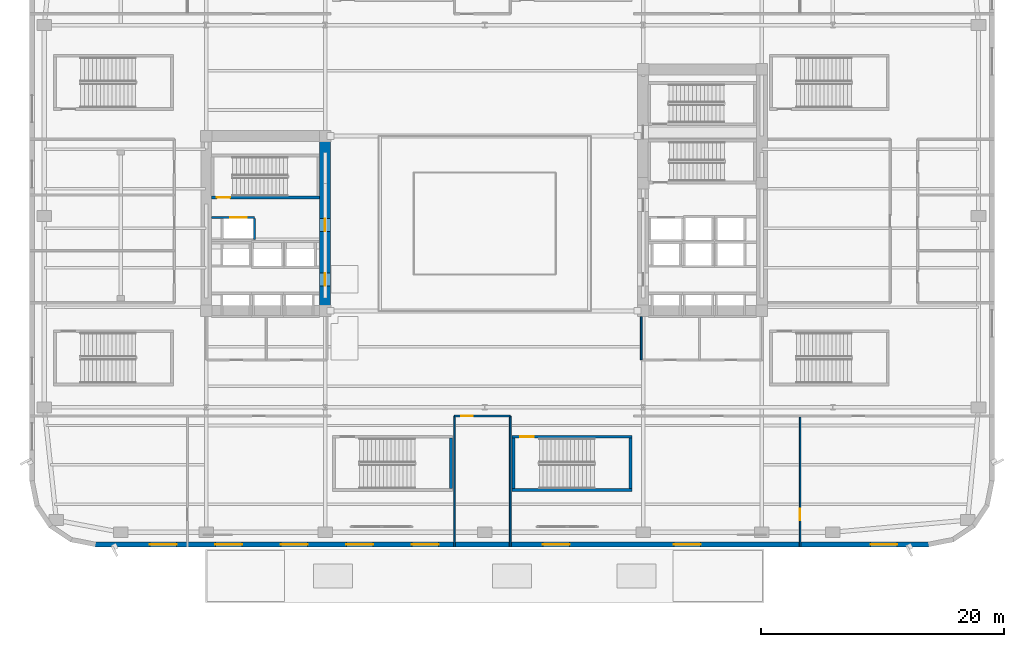
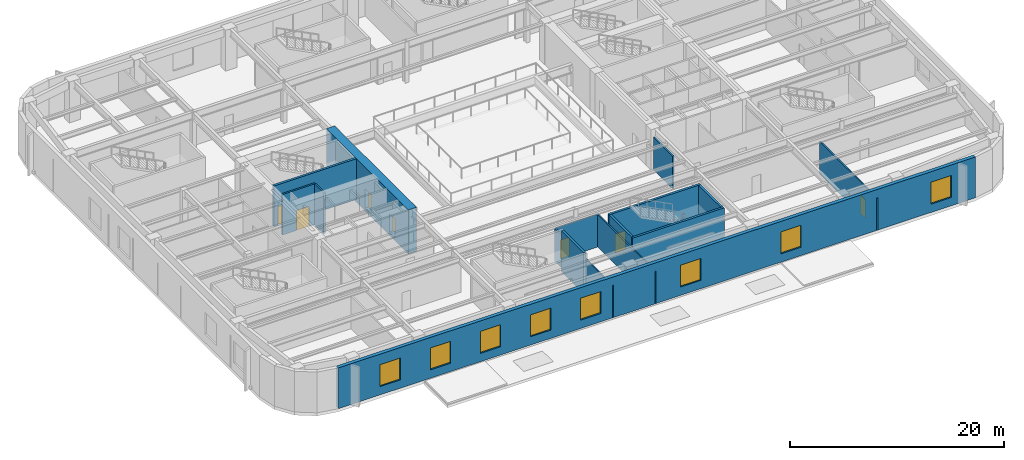
# One storey, part 7 of 24: 15 walls, 8 windows, 7 doors, 15 openings.
"""IFC4 building model written with IfcOpenShell, lengths in metres."""

from ifc_helpers import new_model, si_unit, direction, frame, frame_2d, origin, place, context, subcontext, project, spatial, rectangle, extrude, material, layer, layer_set, type_object, element, fill, save


model = new_model("IFC4")

# Units and contexts
model_context = context("Model", 3, precision=1e-05, world=origin(), true_north=direction((0.0, 1.0)))
body_context = subcontext(model_context, "Body", "Model", "MODEL_VIEW")
ifc_project = project(units=[si_unit("LENGTHUNIT", "METRE"), si_unit("AREAUNIT", "SQUARE_METRE"), si_unit("VOLUMEUNIT", "CUBIC_METRE"), si_unit("PLANEANGLEUNIT", "RADIAN"), si_unit("MASSUNIT", "GRAM", prefix="KILO")], contexts=[model_context])

# Site, building, storey
site_placement = place(None, origin())
site = spatial("IfcSite", under=ifc_project, at=site_placement, CompositionType="ELEMENT")
building_placement = place(site_placement, origin())
building = spatial("IfcBuilding", under=site, at=building_placement, Name="Kolvaren Arena Tower", CompositionType="ELEMENT")
storey_placement = place(building_placement, frame((0.0, 0.0, 8.0)))
storey = spatial("IfcBuildingStorey", under=building, at=storey_placement, Name="L01", CompositionType="ELEMENT", Elevation=8.0)

# Wall, opening, door
ifc_material_1 = material(Name="Gypsum board acoustic assembly", Category="gypsum")
ifc_layer_1 = layer(ifc_material_1, 0.159912109375)
ifc_layer_set_1 = layer_set([ifc_layer_1], Name="Gypsum board acoustic assembly")
wall_type_1 = type_object("IfcWallType", Name="CORR-160", PredefinedType="PARTITIONING", material=ifc_layer_set_1)
wall_1_placement = place(storey_placement, frame((35.0, 10.780029296875, 0.0), z_axis=(0.0, 0.0, 1.0), x_axis=(1.0, 0.0, 0.0)))
wall_1 = element("IfcWall", 1, at=wall_1_placement, inside=storey, type_object=wall_type_1, Name="Interior Partition Wall (L01)", PredefinedType="PARTITIONING", context=body_context, shape_type="SweptSolid", body=[
    extrude(rectangle(XDim=4.60009765625, YDim=0.159912109375, at=frame_2d((2.300048828125, 0.0))), origin(), (0.0, 0.0, 1.0), 3.7099609375),
])
opening_1_placement = place(wall_1_placement, frame((0.550048828125, 0.0, 0.0)))
opening_1 = element("IfcOpeningElement", 2, at=opening_1_placement, cuts=wall_1, Name="Opening D05", PredefinedType="OPENING", context=body_context, shape_type="SweptSolid", body=[
    extrude(rectangle(XDim=0.949951171875, YDim=2.14990234375, at=frame_2d((0.47509765625, 1.074951171875))), frame((0.0, 0.08984375, 0.0), z_axis=(0.0, -1.0, 0.0), x_axis=(1.0, 0.0, 0.0)), (0.0, 0.0, 1.0), 0.179931640625),
])
ifc_material_2 = material(Name="Solid-core oak acoustic office door", Category="wood")
door_type_1 = type_object("IfcDoorType", Name="DOOR-OF-095", OperationType="NOTDEFINED", PredefinedType="DOOR", material=ifc_material_2)
door_1_placement = place(opening_1_placement, origin())
door_1 = element("IfcDoor", 3, at=door_1_placement, inside=storey, type_object=door_type_1, Name="South Concourse Lounge Door (L01)", OperationType="SINGLE_SWING_LEFT", OverallHeight=2.14990234375, OverallWidth=0.949951171875, PredefinedType="DOOR", context=body_context, shape_type="SweptSolid", body=[
    extrude(rectangle(XDim=0.949951171875, YDim=2.14990234375, at=frame_2d((0.47509765625, 1.074951171875))), frame((0.0, 0.02490234375, 0.0), z_axis=(0.0, -1.0, 0.0), x_axis=(1.0, 0.0, 0.0)), (0.0, 0.0, 1.0), 0.050048828125),
])
fill(opening_1, door_1)

# Wall, openings, doors
ifc_material_3 = material(Name="Concrete 80 MPa", Category="concrete")
ifc_layer_2 = layer(ifc_material_3, 0.89990234375)
ifc_layer_set_2 = layer_set([ifc_layer_2], Name="Concrete 80 MPa")
wall_type_2 = type_object("IfcWallType", Name="CWALL-900", PredefinedType="SHEAR", material=ifc_layer_set_2)
wall_2_placement = place(storey_placement, frame((24.35009765625, 19.0, -0.35009765625), z_axis=(0.0, 0.0, 1.0), x_axis=(0.0, 1.0, 0.0)))
wall_2 = element("IfcWall", 4, at=wall_2_placement, inside=storey, type_object=wall_type_2, Name="Core Shear Wall WC-EAST (L01)", PredefinedType="SHEAR", context=body_context, shape_type="SweptSolid", body=[
    extrude(rectangle(XDim=15.300048828125, YDim=0.89990234375, at=frame_2d((7.64990234375, 0.0))), origin(), (0.0, 0.0, 1.0), 5.0),
])
opening_2_placement = place(wall_2_placement, frame((2.5, 0.0, 0.35009765625)))
opening_2 = element("IfcOpeningElement", 5, at=opening_2_placement, cuts=wall_2, Name="Opening D04", PredefinedType="OPENING", context=body_context, shape_type="SweptSolid", body=[
    extrude(rectangle(XDim=1.050048828125, YDim=2.14990234375, at=frame_2d((0.52490234375, 1.074951171875))), frame((0.0, 0.4599609375, 0.0), z_axis=(0.0, -1.0, 0.0), x_axis=(1.0, 0.0, 0.0)), (0.0, 0.0, 1.0), 0.919921875),
])
opening_3_placement = place(wall_2_placement, frame((7.0, 0.0, 0.35009765625)))
opening_3 = element("IfcOpeningElement", 6, at=opening_3_placement, cuts=wall_2, Name="Opening D04", PredefinedType="OPENING", context=body_context, shape_type="SweptSolid", body=[
    extrude(rectangle(XDim=1.050048828125, YDim=2.14990234375, at=frame_2d((0.52490234375, 1.074951171875))), frame((0.0, 0.4599609375, 0.0), z_axis=(0.0, -1.0, 0.0), x_axis=(1.0, 0.0, 0.0)), (0.0, 0.0, 1.0), 0.919921875),
])
ifc_material_4 = material(Name="Fire-rated steel lobby door", Category="steel")
door_type_2 = type_object("IfcDoorType", Name="DOOR-FF-105", OperationType="NOTDEFINED", PredefinedType="DOOR", material=ifc_material_4)
door_2_placement = place(opening_2_placement, origin())
door_2 = element("IfcDoor", 7, at=door_2_placement, inside=storey, type_object=door_type_2, Name="West Lift Lobby Fire Door (L01)", OperationType="SINGLE_SWING_LEFT", OverallHeight=2.14990234375, OverallWidth=1.050048828125, PredefinedType="DOOR", context=body_context, shape_type="SweptSolid", body=[
    extrude(rectangle(XDim=1.050048828125, YDim=2.14990234375, at=frame_2d((0.52490234375, 1.074951171875))), frame((0.0, 0.02490234375, 0.0), z_axis=(0.0, -1.0, 0.0), x_axis=(1.0, 0.0, 0.0)), (0.0, 0.0, 1.0), 0.050048828125),
])
fill(opening_2, door_2)
door_3_placement = place(opening_3_placement, origin())
door_3 = element("IfcDoor", 8, at=door_3_placement, inside=storey, type_object=door_type_2, Name="West Firefighter Vestibule Door (L01)", OperationType="SINGLE_SWING_RIGHT", OverallHeight=2.14990234375, OverallWidth=1.050048828125, PredefinedType="DOOR", context=body_context, shape_type="SweptSolid", body=[
    extrude(rectangle(XDim=1.050048828125, YDim=2.14990234375, at=frame_2d((0.52490234375, 1.074951171875))), frame((0.0, 0.02490234375, 0.0), z_axis=(0.0, -1.0, 0.0), x_axis=(1.0, 0.0, 0.0)), (0.0, 0.0, 1.0), 0.050048828125),
])
fill(opening_3, door_3)

# Wall, openings, windows
ifc_material_5 = material(Name="Precast concrete C50/60", Category="concrete")
ifc_layer_3 = layer(ifc_material_5, 0.3798828125)
ifc_layer_set_3 = layer_set([ifc_layer_3], Name="Precast concrete C50/60")
wall_type_3 = type_object("IfcWallType", Name="EXT-ARENA", PredefinedType="SOLIDWALL", material=ifc_layer_set_3)
wall_3_placement = place(storey_placement, frame((74.10009765625, 0.18994140625, 0.0), z_axis=(0.0, 0.0, 1.0), x_axis=(-1.0, 0.0, 0.0)))
wall_3 = element("IfcWall", 9, at=wall_3_placement, inside=storey, type_object=wall_type_3, Name="Exterior Precast Masonry-Frame Wall (L01)", PredefinedType="SOLIDWALL", context=body_context, shape_type="SweptSolid", body=[
    extrude(rectangle(XDim=68.7001953125, YDim=0.3798828125, at=frame_2d((34.35009765625, 0.0))), origin(), (0.0, 0.0, 1.0), 4.64990234375),
])
opening_4_placement = place(wall_3_placement, frame((2.60009765625, 0.0, 0.949951171875)))
opening_4 = element("IfcOpeningElement", 10, at=opening_4_placement, cuts=wall_3, Name="Opening W07", PredefinedType="OPENING", context=body_context, shape_type="SweptSolid", body=[
    extrude(rectangle(XDim=2.199951171875, YDim=2.5, at=frame_2d((1.10009765625, 1.25))), frame((0.0, 0.199951171875, 0.0), z_axis=(0.0, -1.0, 0.0), x_axis=(1.0, 0.0, 0.0)), (0.0, 0.0, 1.0), 0.39990234375),
])
opening_5_placement = place(wall_3_placement, frame((18.800048828125, 0.0, 0.949951171875)))
opening_5 = element("IfcOpeningElement", 11, at=opening_5_placement, cuts=wall_3, Name="Opening W07", PredefinedType="OPENING", context=body_context, shape_type="SweptSolid", body=[
    extrude(rectangle(XDim=2.199951171875, YDim=2.5, at=frame_2d((1.10009765625, 1.25))), frame((0.0, 0.199951171875, 0.0), z_axis=(0.0, -1.0, 0.0), x_axis=(1.0, 0.0, 0.0)), (0.0, 0.0, 1.0), 0.39990234375),
])
opening_6_placement = place(wall_3_placement, frame((29.60009765625, 0.0, 0.949951171875)))
opening_6 = element("IfcOpeningElement", 12, at=opening_6_placement, cuts=wall_3, Name="Opening W07", PredefinedType="OPENING", context=body_context, shape_type="SweptSolid", body=[
    extrude(rectangle(XDim=2.199951171875, YDim=2.5, at=frame_2d((1.10009765625, 1.25))), frame((0.0, 0.199951171875, 0.0), z_axis=(0.0, -1.0, 0.0), x_axis=(1.0, 0.0, 0.0)), (0.0, 0.0, 1.0), 0.39990234375),
])
opening_7_placement = place(wall_3_placement, frame((40.39990234375, 0.0, 0.949951171875)))
opening_7 = element("IfcOpeningElement", 13, at=opening_7_placement, cuts=wall_3, Name="Opening W07", PredefinedType="OPENING", context=body_context, shape_type="SweptSolid", body=[
    extrude(rectangle(XDim=2.199951171875, YDim=2.5, at=frame_2d((1.10009765625, 1.25))), frame((0.0, 0.199951171875, 0.0), z_axis=(0.0, -1.0, 0.0), x_axis=(1.0, 0.0, 0.0)), (0.0, 0.0, 1.0), 0.39990234375),
])
opening_8_placement = place(wall_3_placement, frame((45.800048828125, 0.0, 0.949951171875)))
opening_8 = element("IfcOpeningElement", 14, at=opening_8_placement, cuts=wall_3, Name="Opening W07", PredefinedType="OPENING", context=body_context, shape_type="SweptSolid", body=[
    extrude(rectangle(XDim=2.199951171875, YDim=2.5, at=frame_2d((1.10009765625, 1.25))), frame((0.0, 0.199951171875, 0.0), z_axis=(0.0, -1.0, 0.0), x_axis=(1.0, 0.0, 0.0)), (0.0, 0.0, 1.0), 0.39990234375),
])
opening_9_placement = place(wall_3_placement, frame((51.199951171875, 0.0, 0.949951171875)))
opening_9 = element("IfcOpeningElement", 15, at=opening_9_placement, cuts=wall_3, Name="Opening W07", PredefinedType="OPENING", context=body_context, shape_type="SweptSolid", body=[
    extrude(rectangle(XDim=2.199951171875, YDim=2.5, at=frame_2d((1.10009765625, 1.25))), frame((0.0, 0.199951171875, 0.0), z_axis=(0.0, -1.0, 0.0), x_axis=(1.0, 0.0, 0.0)), (0.0, 0.0, 1.0), 0.39990234375),
])
opening_10_placement = place(wall_3_placement, frame((56.60009765625, 0.0, 0.949951171875)))
opening_10 = element("IfcOpeningElement", 16, at=opening_10_placement, cuts=wall_3, Name="Opening W07", PredefinedType="OPENING", context=body_context, shape_type="SweptSolid", body=[
    extrude(rectangle(XDim=2.199951171875, YDim=2.5, at=frame_2d((1.10009765625, 1.25))), frame((0.0, 0.199951171875, 0.0), z_axis=(0.0, -1.0, 0.0), x_axis=(1.0, 0.0, 0.0)), (0.0, 0.0, 1.0), 0.39990234375),
])
opening_11_placement = place(wall_3_placement, frame((62.0, 0.0, 0.949951171875)))
opening_11 = element("IfcOpeningElement", 17, at=opening_11_placement, cuts=wall_3, Name="Opening W07", PredefinedType="OPENING", context=body_context, shape_type="SweptSolid", body=[
    extrude(rectangle(XDim=2.199951171875, YDim=2.5, at=frame_2d((1.10009765625, 1.25))), frame((0.0, 0.199951171875, 0.0), z_axis=(0.0, -1.0, 0.0), x_axis=(1.0, 0.0, 0.0)), (0.0, 0.0, 1.0), 0.39990234375),
])
ifc_material_6 = material(Name="Triple-glazed arena concourse window", Category="glass")
window_type = type_object("IfcWindowType", Name="WIN-POD-A", PartitioningType="DOUBLE_PANEL_VERTICAL", PredefinedType="WINDOW", material=ifc_material_6)
window_1_placement = place(opening_4_placement, origin())
window_1 = element("IfcWindow", 18, at=window_1_placement, inside=storey, type_object=window_type, Name="Punched Precast-Pier Window (L01)", OverallHeight=2.5, OverallWidth=2.199951171875, PartitioningType="DOUBLE_PANEL_VERTICAL", PredefinedType="WINDOW", context=body_context, shape_type="SweptSolid", body=[
    extrude(rectangle(XDim=2.199951171875, YDim=2.5, at=frame_2d((1.10009765625, 1.25))), frame((0.0, 0.030029296875, 0.0), z_axis=(0.0, -1.0, 0.0), x_axis=(1.0, 0.0, 0.0)), (0.0, 0.0, 1.0), 0.06005859375),
])
fill(opening_4, window_1)
window_2_placement = place(opening_5_placement, origin())
window_2 = element("IfcWindow", 19, at=window_2_placement, inside=storey, type_object=window_type, Name="Punched Precast-Pier Window (L01)", OverallHeight=2.5, OverallWidth=2.199951171875, PartitioningType="DOUBLE_PANEL_VERTICAL", PredefinedType="WINDOW", context=body_context, shape_type="SweptSolid", body=[
    extrude(rectangle(XDim=2.199951171875, YDim=2.5, at=frame_2d((1.10009765625, 1.25))), frame((0.0, 0.030029296875, 0.0), z_axis=(0.0, -1.0, 0.0), x_axis=(1.0, 0.0, 0.0)), (0.0, 0.0, 1.0), 0.06005859375),
])
fill(opening_5, window_2)
window_3_placement = place(opening_6_placement, origin())
window_3 = element("IfcWindow", 20, at=window_3_placement, inside=storey, type_object=window_type, Name="Punched Precast-Pier Window (L01)", OverallHeight=2.5, OverallWidth=2.199951171875, PartitioningType="DOUBLE_PANEL_VERTICAL", PredefinedType="WINDOW", context=body_context, shape_type="SweptSolid", body=[
    extrude(rectangle(XDim=2.199951171875, YDim=2.5, at=frame_2d((1.10009765625, 1.25))), frame((0.0, 0.030029296875, 0.0), z_axis=(0.0, -1.0, 0.0), x_axis=(1.0, 0.0, 0.0)), (0.0, 0.0, 1.0), 0.06005859375),
])
fill(opening_6, window_3)
window_4_placement = place(opening_7_placement, origin())
window_4 = element("IfcWindow", 21, at=window_4_placement, inside=storey, type_object=window_type, Name="Punched Precast-Pier Window (L01)", OverallHeight=2.5, OverallWidth=2.199951171875, PartitioningType="DOUBLE_PANEL_VERTICAL", PredefinedType="WINDOW", context=body_context, shape_type="SweptSolid", body=[
    extrude(rectangle(XDim=2.199951171875, YDim=2.5, at=frame_2d((1.10009765625, 1.25))), frame((0.0, 0.030029296875, 0.0), z_axis=(0.0, -1.0, 0.0), x_axis=(1.0, 0.0, 0.0)), (0.0, 0.0, 1.0), 0.06005859375),
])
fill(opening_7, window_4)
window_5_placement = place(opening_8_placement, origin())
window_5 = element("IfcWindow", 22, at=window_5_placement, inside=storey, type_object=window_type, Name="Punched Precast-Pier Window (L01)", OverallHeight=2.5, OverallWidth=2.199951171875, PartitioningType="DOUBLE_PANEL_VERTICAL", PredefinedType="WINDOW", context=body_context, shape_type="SweptSolid", body=[
    extrude(rectangle(XDim=2.199951171875, YDim=2.5, at=frame_2d((1.10009765625, 1.25))), frame((0.0, 0.030029296875, 0.0), z_axis=(0.0, -1.0, 0.0), x_axis=(1.0, 0.0, 0.0)), (0.0, 0.0, 1.0), 0.06005859375),
])
fill(opening_8, window_5)
window_6_placement = place(opening_9_placement, origin())
window_6 = element("IfcWindow", 23, at=window_6_placement, inside=storey, type_object=window_type, Name="Punched Precast-Pier Window (L01)", OverallHeight=2.5, OverallWidth=2.199951171875, PartitioningType="DOUBLE_PANEL_VERTICAL", PredefinedType="WINDOW", context=body_context, shape_type="SweptSolid", body=[
    extrude(rectangle(XDim=2.199951171875, YDim=2.5, at=frame_2d((1.10009765625, 1.25))), frame((0.0, 0.030029296875, 0.0), z_axis=(0.0, -1.0, 0.0), x_axis=(1.0, 0.0, 0.0)), (0.0, 0.0, 1.0), 0.06005859375),
])
fill(opening_9, window_6)
window_7_placement = place(opening_10_placement, origin())
window_7 = element("IfcWindow", 24, at=window_7_placement, inside=storey, type_object=window_type, Name="Punched Precast-Pier Window (L01)", OverallHeight=2.5, OverallWidth=2.199951171875, PartitioningType="DOUBLE_PANEL_VERTICAL", PredefinedType="WINDOW", context=body_context, shape_type="SweptSolid", body=[
    extrude(rectangle(XDim=2.199951171875, YDim=2.5, at=frame_2d((1.10009765625, 1.25))), frame((0.0, 0.030029296875, 0.0), z_axis=(0.0, -1.0, 0.0), x_axis=(1.0, 0.0, 0.0)), (0.0, 0.0, 1.0), 0.06005859375),
])
fill(opening_10, window_7)
window_8_placement = place(opening_11_placement, origin())
window_8 = element("IfcWindow", 25, at=window_8_placement, inside=storey, type_object=window_type, Name="Punched Precast-Pier Window (L01)", OverallHeight=2.5, OverallWidth=2.199951171875, PartitioningType="DOUBLE_PANEL_VERTICAL", PredefinedType="WINDOW", context=body_context, shape_type="SweptSolid", body=[
    extrude(rectangle(XDim=2.199951171875, YDim=2.5, at=frame_2d((1.10009765625, 1.25))), frame((0.0, 0.030029296875, 0.0), z_axis=(0.0, -1.0, 0.0), x_axis=(1.0, 0.0, 0.0)), (0.0, 0.0, 1.0), 0.06005859375),
])
fill(opening_11, window_8)

# Wall, opening, door
ifc_material_7 = material(Name="Gypsum board partition assembly", Category="gypsum")
ifc_layer_4 = layer(ifc_material_7, 0.135009765625)
ifc_layer_set_4 = layer_set([ifc_layer_4], Name="Gypsum board partition assembly")
wall_type_4 = type_object("IfcWallType", Name="PART-135", PredefinedType="PARTITIONING", material=ifc_layer_set_4)
wall_4_placement = place(storey_placement, frame((63.5, 0.0, 0.0), z_axis=(0.0, 0.0, 1.0), x_axis=(0.0, 1.0, 0.0)))
wall_4 = element("IfcWall", 26, at=wall_4_placement, inside=storey, type_object=wall_type_4, Name="Interior Partition Wall (L01)", PredefinedType="PARTITIONING", context=body_context, shape_type="SweptSolid", body=[
    extrude(rectangle(XDim=10.68994140625, YDim=0.135009765625, at=frame_2d((5.344970703125, 0.0))), origin(), (0.0, 0.0, 1.0), 3.7099609375),
])
opening_12_placement = place(wall_4_placement, frame((2.199951171875, 0.0, 0.0)))
opening_12 = element("IfcOpeningElement", 27, at=opening_12_placement, cuts=wall_4, Name="Opening D05", PredefinedType="OPENING", context=body_context, shape_type="SweptSolid", body=[
    extrude(rectangle(XDim=0.949951171875, YDim=2.14990234375, at=frame_2d((0.47509765625, 1.074951171875))), frame((0.0, 0.077392578125, 0.0), z_axis=(0.0, -1.0, 0.0), x_axis=(1.0, 0.0, 0.0)), (0.0, 0.0, 1.0), 0.155029296875),
])
door_4_placement = place(opening_12_placement, origin())
door_4 = element("IfcDoor", 28, at=door_4_placement, inside=storey, type_object=door_type_1, Name="South-East Dining Hall Connecting Door (L01)", OperationType="SINGLE_SWING_LEFT", OverallHeight=2.14990234375, OverallWidth=0.949951171875, PredefinedType="DOOR", context=body_context, shape_type="SweptSolid", body=[
    extrude(rectangle(XDim=0.949951171875, YDim=2.14990234375, at=frame_2d((0.47509765625, 1.074951171875))), frame((0.0, 0.02490234375, 0.0), z_axis=(0.0, -1.0, 0.0), x_axis=(1.0, 0.0, 0.0)), (0.0, 0.0, 1.0), 0.050048828125),
])
fill(opening_12, door_4)

# Walls
for number, where, z_axis, x_axis, name in (
    (29, (35.0, 0.0, 0.0), (0.0, 0.0, 1.0), (0.0, 1.0, 0.0), "Interior Partition Wall (L01)"),
    (30, (39.60009765625, 0.0, 0.0), (0.0, 0.0, 1.0), (0.0, 1.0, 0.0), "Interior Partition Wall (L01)"),
):
    element("IfcWall", number, at=place(storey_placement, frame(where, z_axis=z_axis, x_axis=x_axis)), inside=storey, type_object=wall_type_4, Name=name, PredefinedType="PARTITIONING", context=body_context, shape_type="SweptSolid", body=[
        extrude(rectangle(XDim=10.780029296875, YDim=0.135009765625, at=frame_2d((5.39013671875, 0.0))), origin(), (0.0, 0.0, 1.0), 3.7099609375),
    ])
ifc_material_8 = material(Name="Concrete 45 MPa", Category="concrete")
ifc_layer_5 = layer(ifc_material_8, 0.25)
ifc_layer_set_5 = layer_set([ifc_layer_5], Name="Concrete 45 MPa")
wall_type_5 = type_object("IfcWallType", Name="SHAFT-250", PredefinedType="SOLIDWALL", material=ifc_layer_set_5)
wall_5_placement = place(storey_placement, frame((34.719970703125, 4.800048828125, 0.0), z_axis=(0.0, 0.0, 1.0), x_axis=(0.0, 1.0, 0.0)))
element("IfcWall", 31, at=wall_5_placement, inside=storey, type_object=wall_type_5, Name="Stair ST-A2 East Shaft Wall (L01)", PredefinedType="SOLIDWALL", context=body_context, shape_type="SweptSolid", body=[
    extrude(rectangle(XDim=4.14990234375, YDim=0.239990234375, at=frame_2d((2.074951171875, 0.0))), origin(), (0.0, 0.0, 1.0), 4.64990234375),
])

# Wall, opening, door
wall_6_placement = place(storey_placement, frame((39.760009765625, 9.070068359375, 0.0), z_axis=(0.0, 0.0, 1.0), x_axis=(1.0, 0.0, 0.0)))
wall_6 = element("IfcWall", 32, at=wall_6_placement, inside=storey, type_object=wall_type_5, Name="Stair ST-A3 Rated Enclosure Wall (L01)", PredefinedType="SOLIDWALL", context=body_context, shape_type="SweptSolid", body=[
    extrude(rectangle(XDim=9.8798828125, YDim=0.239990234375, at=frame_2d((4.93994140625, 0.0))), origin(), (0.0, 0.0, 1.0), 4.64990234375),
])
opening_13_placement = place(wall_6_placement, frame((0.68994140625, 0.0, 0.0)))
opening_13 = element("IfcOpeningElement", 33, at=opening_13_placement, cuts=wall_6, Name="Opening D03", PredefinedType="OPENING", context=body_context, shape_type="SweptSolid", body=[
    extrude(rectangle(XDim=1.10009765625, YDim=2.14990234375, at=frame_2d((0.550048828125, 1.074951171875))), frame((0.0, 0.1298828125, 0.0), z_axis=(0.0, -1.0, 0.0), x_axis=(1.0, 0.0, 0.0)), (0.0, 0.0, 1.0), 0.260009765625),
])
ifc_material_9 = material(Name="Fire-rated steel exit stair door", Category="steel")
door_type_3 = type_object("IfcDoorType", Name="DOOR-ST-110", OperationType="NOTDEFINED", PredefinedType="DOOR", material=ifc_material_9)
door_5_placement = place(opening_13_placement, origin())
door_5 = element("IfcDoor", 34, at=door_5_placement, inside=storey, type_object=door_type_3, Name="Exit Stair ST-A3 Fire Door (L01)", OperationType="SINGLE_SWING_RIGHT", OverallHeight=2.14990234375, OverallWidth=1.10009765625, PredefinedType="DOOR", context=body_context, shape_type="SweptSolid", body=[
    extrude(rectangle(XDim=1.10009765625, YDim=2.14990234375, at=frame_2d((0.550048828125, 1.074951171875))), frame((0.0, 0.02490234375, 0.0), z_axis=(0.0, -1.0, 0.0), x_axis=(1.0, 0.0, 0.0)), (0.0, 0.0, 1.0), 0.050048828125),
])
fill(opening_13, door_5)

# Walls
wall_7_placement = place(storey_placement, frame((39.760009765625, 4.679931640625, 0.0), z_axis=(0.0, 0.0, 1.0), x_axis=(1.0, 0.0, 0.0)))
element("IfcWall", 35, at=wall_7_placement, inside=storey, type_object=wall_type_5, Name="Stair ST-A3 Rear Shaft Wall (L01)", PredefinedType="SOLIDWALL", context=body_context, shape_type="SweptSolid", body=[
    extrude(rectangle(XDim=9.8798828125, YDim=0.239990234375, at=frame_2d((4.93994140625, 0.0))), origin(), (0.0, 0.0, 1.0), 4.64990234375),
])
for number, where, z_axis, x_axis, name in (
    (36, (39.8798828125, 4.800048828125, 0.0), (0.0, 0.0, 1.0), (0.0, 1.0, 0.0), "Stair ST-A3 West Shaft Wall (L01)"),
    (37, (49.52001953125, 4.800048828125, 0.0), (0.0, 0.0, 1.0), (0.0, 1.0, 0.0), "Stair ST-A3 East Shaft Wall (L01)"),
):
    element("IfcWall", number, at=place(storey_placement, frame(where, z_axis=z_axis, x_axis=x_axis)), inside=storey, type_object=wall_type_5, Name=name, PredefinedType="SOLIDWALL", context=body_context, shape_type="SweptSolid", body=[
        extrude(rectangle(XDim=4.14990234375, YDim=0.239990234375, at=frame_2d((2.074951171875, 0.0))), origin(), (0.0, 0.0, 1.0), 4.64990234375),
    ])

# Wall, opening, door
wall_8_placement = place(storey_placement, frame((23.89990234375, 28.780029296875, 0.0), z_axis=(0.0, 0.0, 1.0), x_axis=(-1.0, 0.0, 0.0)))
wall_8 = element("IfcWall", 38, at=wall_8_placement, inside=storey, type_object=wall_type_5, Name="Core Shaft Wall (L01)", PredefinedType="SOLIDWALL", context=body_context, shape_type="SweptSolid", body=[
    extrude(rectangle(XDim=8.89990234375, YDim=0.239990234375, at=frame_2d((4.449951171875, 0.0))), origin(), (0.0, 0.0, 1.0), 4.64990234375),
])
opening_14_placement = place(wall_8_placement, frame((7.3798828125, 0.0, 0.0)))
opening_14 = element("IfcOpeningElement", 39, at=opening_14_placement, cuts=wall_8, Name="Opening D03", PredefinedType="OPENING", context=body_context, shape_type="SweptSolid", body=[
    extrude(rectangle(XDim=1.10009765625, YDim=2.14990234375, at=frame_2d((0.550048828125, 1.074951171875))), frame((0.0, 0.1298828125, 0.0), z_axis=(0.0, -1.0, 0.0), x_axis=(1.0, 0.0, 0.0)), (0.0, 0.0, 1.0), 0.260009765625),
])
door_6_placement = place(opening_14_placement, origin())
door_6 = element("IfcDoor", 40, at=door_6_placement, inside=storey, type_object=door_type_3, Name="Stair ST-W1 Fire Door (L01)", OperationType="SINGLE_SWING_RIGHT", OverallHeight=2.14990234375, OverallWidth=1.10009765625, PredefinedType="DOOR", context=body_context, shape_type="SweptSolid", body=[
    extrude(rectangle(XDim=1.10009765625, YDim=2.14990234375, at=frame_2d((0.550048828125, 1.074951171875))), frame((0.0, 0.02490234375, 0.0), z_axis=(0.0, -1.0, 0.0), x_axis=(1.0, 0.0, 0.0)), (0.0, 0.0, 1.0), 0.050048828125),
])
fill(opening_14, door_6)

wall_9_placement = place(storey_placement, frame((15.0, 27.155029296875, 0.0), z_axis=(0.0, 0.0, 1.0), x_axis=(1.0, 0.0, 0.0)))
wall_9 = element("IfcWall", 41, at=wall_9_placement, inside=storey, type_object=wall_type_5, Name="Core Shaft Wall (L01)", PredefinedType="SOLIDWALL", context=body_context, shape_type="SweptSolid", body=[
    extrude(rectangle(XDim=3.530029296875, YDim=0.179931640625, at=frame_2d((1.76513671875, 0.0))), origin(), (0.0, 0.0, 1.0), 4.64990234375),
])
opening_15_placement = place(wall_9_placement, frame((1.52490234375, 0.0, 0.0)))
opening_15 = element("IfcOpeningElement", 42, at=opening_15_placement, cuts=wall_9, Name="Opening LD2", PredefinedType="OPENING", context=body_context, shape_type="SweptSolid", body=[
    extrude(rectangle(XDim=1.35009765625, YDim=2.300048828125, at=frame_2d((0.675048828125, 1.14990234375))), frame((0.0, 0.099853515625, 0.0), z_axis=(0.0, -1.0, 0.0), x_axis=(1.0, 0.0, 0.0)), (0.0, 0.0, 1.0), 0.199951171875),
])
ifc_material_10 = material(Name="Stainless steel firefighter lift landing door", Category="steel")
door_type_4 = type_object("IfcDoorType", Name="DOOR-LD-135", OperationType="DOUBLE_DOOR_SLIDING", PredefinedType="DOOR", material=ifc_material_10)
door_7_placement = place(opening_15_placement, origin())
door_7 = element("IfcDoor", 43, at=door_7_placement, inside=storey, type_object=door_type_4, Name="Firefighter Lift FF-W1 Landing Door (L01)", OperationType="DOUBLE_DOOR_SLIDING", OverallHeight=2.300048828125, OverallWidth=1.35009765625, PredefinedType="DOOR", context=body_context, shape_type="SweptSolid", body=[
    extrude(rectangle(XDim=1.35009765625, YDim=2.300048828125, at=frame_2d((0.675048828125, 1.14990234375))), frame((0.0, 0.02490234375, 0.0), z_axis=(0.0, -1.0, 0.0), x_axis=(1.0, 0.0, 0.0)), (0.0, 0.0, 1.0), 0.050048828125),
])
fill(opening_15, door_7)

# Walls
wall_10_placement = place(storey_placement, frame((18.530029296875, 25.3349609375, 0.0), z_axis=(0.0, 0.0, 1.0), x_axis=(0.0, 1.0, 0.0)))
element("IfcWall", 44, at=wall_10_placement, inside=storey, type_object=wall_type_5, Name="Core Shaft Wall (L01)", PredefinedType="SOLIDWALL", context=body_context, shape_type="SweptSolid", body=[
    extrude(rectangle(XDim=1.72998046875, YDim=0.179931640625, at=frame_2d((0.864990234375, 0.0))), origin(), (0.0, 0.0, 1.0), 4.64990234375),
])
ifc_material_11 = material(Name="Moisture-resistant gypsum assembly", Category="gypsum")
ifc_layer_6 = layer(ifc_material_11, 0.14990234375)
ifc_layer_set_6 = layer_set([ifc_layer_6], Name="Moisture-resistant gypsum assembly")
wall_type_6 = type_object("IfcWallType", Name="WETW-150", PredefinedType="PARTITIONING", material=ifc_layer_set_6)
wall_11_placement = place(storey_placement, frame((50.39990234375, 15.39990234375, 0.0), z_axis=(0.0, 0.0, 1.0), x_axis=(0.0, 1.0, 0.0)))
element("IfcWall", 45, at=wall_11_placement, inside=storey, type_object=wall_type_6, Name="Interior Partition Wall (L01)", PredefinedType="PARTITIONING", context=body_context, shape_type="SweptSolid", body=[
    extrude(rectangle(XDim=3.580078125, YDim=0.14990234375, at=frame_2d((1.7900390625, 0.0))), origin(), (0.0, 0.0, 1.0), 3.7099609375),
])

save(model, "model.ifc")
